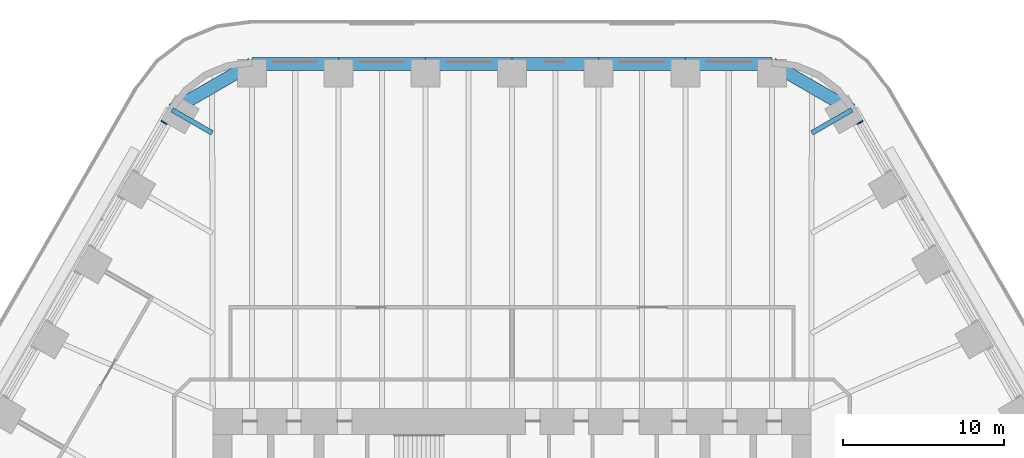
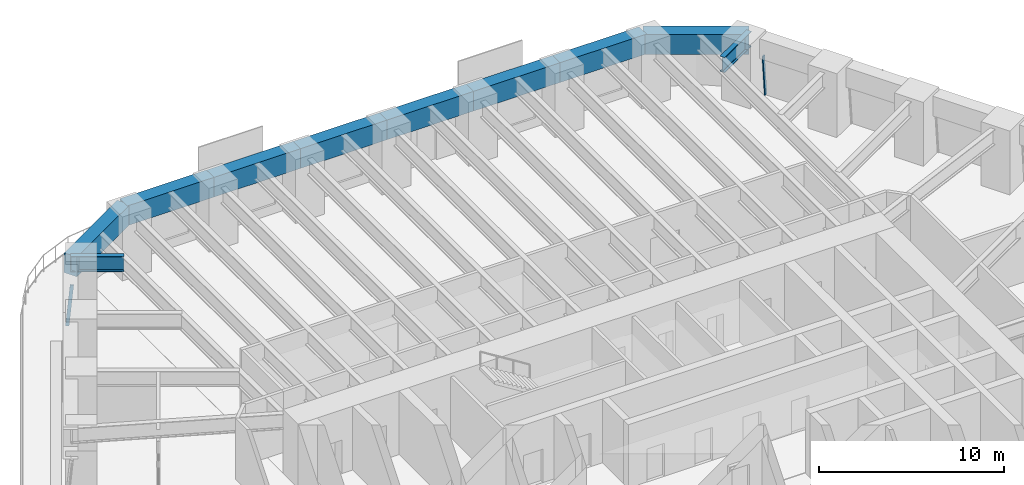
# One storey, part 14 of 24: 10 beams, 2 members, 2 elements without a shape of their own.
"""IFC4 building model written with IfcOpenShell, lengths in metres."""

from ifc_helpers import new_model, si_unit, direction, frame, origin, origin_2d, place, context, subcontext, project, spatial, rectangle, i_section, extrude, material, material_profile, profile_set, type_object, element, aggregate, save


model = new_model("IFC4")

# Units and contexts
model_context = context("Model", 3, precision=1e-05, world=origin(), true_north=direction((0.0, 1.0)))
body_context = subcontext(model_context, "Body", "Model", "MODEL_VIEW")
ifc_project = project(units=[si_unit("LENGTHUNIT", "METRE"), si_unit("AREAUNIT", "SQUARE_METRE"), si_unit("VOLUMEUNIT", "CUBIC_METRE"), si_unit("PLANEANGLEUNIT", "RADIAN"), si_unit("MASSUNIT", "GRAM", prefix="KILO")], contexts=[model_context])

# Site, building, storey
site_placement = place(None, origin())
site = spatial("IfcSite", under=ifc_project, at=site_placement, CompositionType="ELEMENT")
building_placement = place(site_placement, origin())
building = spatial("IfcBuilding", under=site, at=building_placement, Name="Tarfa Lantern Tower", CompositionType="ELEMENT")
storey_placement = place(building_placement, frame((0.0, 0.0, 90.699951171875)))
storey = spatial("IfcBuildingStorey", under=building, at=storey_placement, Name="L20", CompositionType="ELEMENT", Elevation=90.699951171875)

# Curtain wall, member
ifc_material_1 = material(Name="Aluminium framed curtain wall", Category="aluminium")
curtain_wall_type = type_object("IfcCurtainWallType", Name="CW1 CANTED GLAZING LOW ZONE 2700", PredefinedType="USERDEFINED", material=ifc_material_1)
curtain_wall_1_placement = place(storey_placement, origin())
curtain_wall_1 = element("IfcCurtainWall", 1, at=curtain_wall_1_placement, inside=storey, type_object=curtain_wall_type, Name="CW1 NE L20", ObjectType="CURTAIN WALL", PredefinedType="USERDEFINED")
ifc_material_2 = material(Name="Aluminium mullion", Category="aluminium")
ifc_material_profile_1 = material_profile(ifc_material_2, rectangle(XDim=0.06494140625, YDim=0.199951171875, at=origin_2d()), Name="AL MULLION 65x200")
ifc_profile_set_1 = profile_set([ifc_material_profile_1], Name="Aluminium mullion")
member_type = type_object("IfcMemberType", Name="CWM1 MULLION 65x200", PredefinedType="MULLION", material=ifc_profile_set_1)
member_1_placement = place(storey_placement, frame((21.74169921875, 30.142333984375, 0.0), z_axis=(-0.07986442134, -0.046099868913, 0.99573916077), x_axis=(0.499919672301, -0.866071776036, 0.0)))
member_1 = element("IfcMember", 2, at=member_1_placement, type_object=member_type, Name="CW1 mullion 2", PredefinedType="MULLION", context=body_context, shape_type="SweptSolid", body=[
    extrude(rectangle(XDim=0.06494140625, YDim=0.199951171875, at=origin_2d()), origin(), (0.0, 0.0, 1.0), 2.71142578125),
])
aggregate(curtain_wall_1, [member_1])

curtain_wall_2_placement = place(storey_placement, origin())
curtain_wall_2 = element("IfcCurtainWall", 3, at=curtain_wall_2_placement, inside=storey, type_object=curtain_wall_type, Name="CW1 NW L20", ObjectType="CURTAIN WALL", PredefinedType="USERDEFINED")
member_2_placement = place(storey_placement, frame((-21.74169921875, 30.142333984375, 0.0), z_axis=(0.07986442134, -0.046099868913, 0.99573916077), x_axis=(0.499919672301, 0.866071776036, 0.0)))
member_2 = element("IfcMember", 4, at=member_2_placement, type_object=member_type, Name="CW1 mullion 1", PredefinedType="MULLION", context=body_context, shape_type="SweptSolid", body=[
    extrude(rectangle(XDim=0.06494140625, YDim=0.199951171875, at=origin_2d()), origin(), (0.0, 0.0, 1.0), 2.71142578125),
])
aggregate(curtain_wall_2, [member_2])

# Beams
ifc_material_3 = material(Name="Concrete C80/95", Category="concrete")
ifc_material_profile_2 = material_profile(ifc_material_3, rectangle(XDim=0.800048828125, YDim=1.300048828125, at=origin_2d()), Name="RC 800x1300")
ifc_profile_set_2 = profile_set([ifc_material_profile_2], Name="Concrete C80/95")
beam_type_1 = type_object("IfcBeamType", Name="EB1 RC 800x1300", PredefinedType="SPANDREL", material=ifc_profile_set_2)
beam_1_placement = place(storey_placement, frame((21.119384765625, 30.860107421875, 3.35009765625), z_axis=(-0.866033479681, 0.499986011877, 0.0), x_axis=(-0.499986011877, -0.866033479681, 0.0)))
element("IfcBeam", 5, at=beam_1_placement, inside=storey, type_object=beam_type_1, Name="Edge beam NE6", PredefinedType="SPANDREL", context=body_context, shape_type="SweptSolid", body=[
    extrude(rectangle(XDim=0.800048828125, YDim=1.300048828125, at=origin_2d()), origin(), (0.0, 0.0, 1.0), 5.719970703125),
])
beam_2_placement = place(storey_placement, frame((16.165771484375, 33.719970703125, 3.35009765625), z_axis=(-1.0, 0.0, 0.0), x_axis=(0.0, -1.0, 0.0)))
element("IfcBeam", 6, at=beam_2_placement, inside=storey, type_object=beam_type_1, Name="Edge beam N0", PredefinedType="SPANDREL", context=body_context, shape_type="SweptSolid", body=[
    extrude(rectangle(XDim=0.800048828125, YDim=1.300048828125, at=origin_2d()), origin(), (0.0, 0.0, 1.0), 5.388671875),
])
beam_3_placement = place(storey_placement, frame((10.777099609375, 33.719970703125, 3.35009765625), z_axis=(-1.0, 0.0, 0.0), x_axis=(0.0, -1.0, 0.0)))
element("IfcBeam", 7, at=beam_3_placement, inside=storey, type_object=beam_type_1, Name="Edge beam N1", PredefinedType="SPANDREL", context=body_context, shape_type="SweptSolid", body=[
    extrude(rectangle(XDim=0.800048828125, YDim=1.300048828125, at=origin_2d()), origin(), (0.0, 0.0, 1.0), 5.388427734375),
])
for number, where, z_axis, x_axis, name in (
    (8, (5.388671875, 33.719970703125, 3.35009765625), (-1.0, 0.0, 0.0), (0.0, -1.0, 0.0), "Edge beam N2"),
    (9, (0.0, 33.719970703125, 3.35009765625), (-1.0, 0.0, 0.0), (0.0, -1.0, 0.0), "Edge beam N3"),
):
    element("IfcBeam", number, at=place(storey_placement, frame(where, z_axis=z_axis, x_axis=x_axis)), inside=storey, type_object=beam_type_1, Name=name, PredefinedType="SPANDREL", context=body_context, shape_type="SweptSolid", body=[
        extrude(rectangle(XDim=0.800048828125, YDim=1.300048828125, at=origin_2d()), origin(), (0.0, 0.0, 1.0), 5.388671875),
    ])
beam_4_placement = place(storey_placement, frame((-5.388671875, 33.719970703125, 3.35009765625), z_axis=(-1.0, 0.0, 0.0), x_axis=(0.0, -1.0, 0.0)))
element("IfcBeam", 10, at=beam_4_placement, inside=storey, type_object=beam_type_1, Name="Edge beam N4", PredefinedType="SPANDREL", context=body_context, shape_type="SweptSolid", body=[
    extrude(rectangle(XDim=0.800048828125, YDim=1.300048828125, at=origin_2d()), origin(), (0.0, 0.0, 1.0), 5.388427734375),
])
beam_5_placement = place(storey_placement, frame((-10.777099609375, 33.719970703125, 3.35009765625), z_axis=(-1.0, 0.0, 0.0), x_axis=(0.0, -1.0, 0.0)))
element("IfcBeam", 11, at=beam_5_placement, inside=storey, type_object=beam_type_1, Name="Edge beam N5", PredefinedType="SPANDREL", context=body_context, shape_type="SweptSolid", body=[
    extrude(rectangle(XDim=0.800048828125, YDim=1.300048828125, at=origin_2d()), origin(), (0.0, 0.0, 1.0), 5.388671875),
])
beam_6_placement = place(storey_placement, frame((-16.165771484375, 33.719970703125, 3.35009765625), z_axis=(-0.866033479681, -0.499986011877, 0.0), x_axis=(0.499986011877, -0.866033479681, 0.0)))
element("IfcBeam", 12, at=beam_6_placement, inside=storey, type_object=beam_type_1, Name="Edge beam N6", PredefinedType="SPANDREL", context=body_context, shape_type="SweptSolid", body=[
    extrude(rectangle(XDim=0.800048828125, YDim=1.300048828125, at=origin_2d()), origin(), (0.0, 0.0, 1.0), 5.719970703125),
])
ifc_material_4 = material(Name="Steel S460M", Category="steel")
ifc_material_profile_3 = material_profile(ifc_material_4, i_section(OverallWidth=0.302001953125, OverallDepth=1.008056640625, WebThickness=0.02099609375, FlangeThickness=0.0400390625, FilletRadius=0.030029296875, at=origin_2d()), Name="UB1016x305x349")
ifc_profile_set_3 = profile_set([ifc_material_profile_3], Name="Steel S460M")
beam_type_2 = type_object("IfcBeamType", Name="UB1016x305x349", PredefinedType="BEAM", material=ifc_profile_set_3)
for number, where, z_axis, x_axis, name in (
    (13, (21.119384765625, 30.860107421875, 3.49609375), (-0.866012580594, -0.500022209759, 0.0), (0.500022209759, -0.866012580594, 0.0), "Floor beam NE6"),
    (14, (-21.119384765625, 30.860107421875, 3.49609375), (0.866012580594, -0.500022209759, 0.0), (0.500022209759, 0.866012580594, 0.0), "Floor beam NW0"),
):
    element("IfcBeam", number, at=place(storey_placement, frame(where, z_axis=z_axis, x_axis=x_axis)), inside=storey, type_object=beam_type_2, Name=name, PredefinedType="BEAM", context=body_context, shape_type="SweptSolid", body=[
        extrude(i_section(OverallWidth=0.302001953125, OverallDepth=1.008056640625, WebThickness=0.02099609375, FlangeThickness=0.0400390625, FilletRadius=0.030029296875, at=origin_2d()), origin(), (0.0, 0.0, 1.0), 2.866943359375),
    ])

save(model, "model.ifc")
